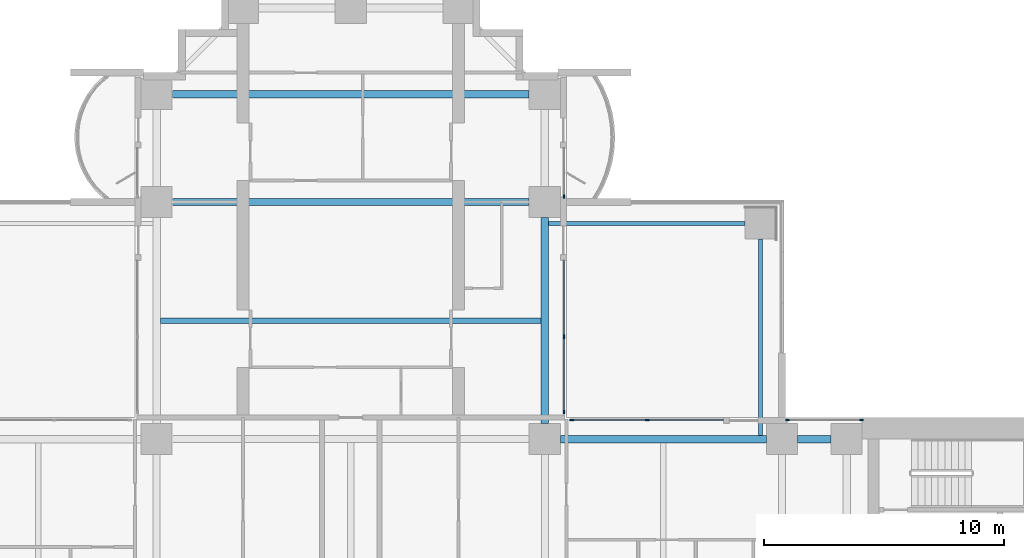
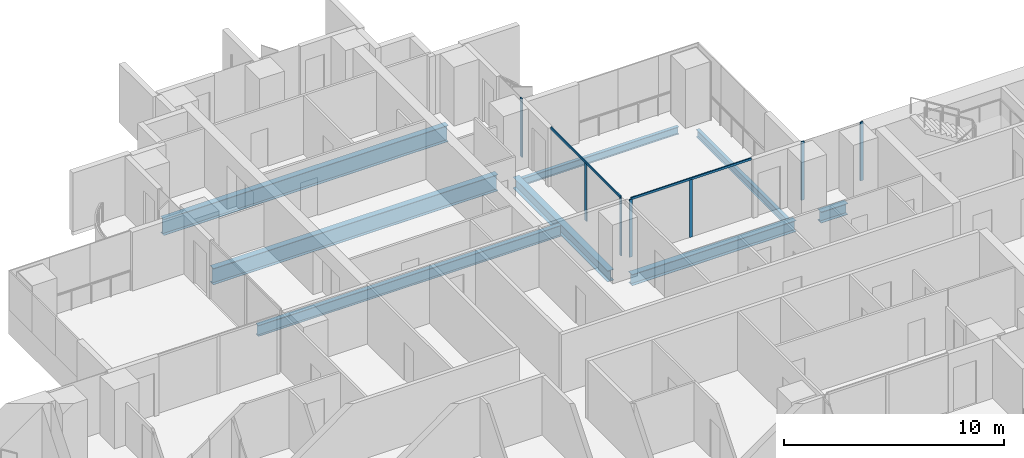
# One storey, part 6 of 20: 9 members, 8 beams, 4 elements without a shape of their own.
"""IFC4 building model written with IfcOpenShell, lengths in metres."""

from ifc_helpers import new_model, si_unit, direction, frame, origin, origin_2d, place, context, subcontext, project, spatial, rectangle, i_section, extrude, material, material_profile, profile_set, type_object, element, aggregate, save


model = new_model("IFC4")

# Units and contexts
model_context = context("Model", 3, precision=1e-05, world=origin(), true_north=direction((0.0, 1.0)))
body_context = subcontext(model_context, "Body", "Model", "MODEL_VIEW")
ifc_project = project(units=[si_unit("LENGTHUNIT", "METRE"), si_unit("AREAUNIT", "SQUARE_METRE"), si_unit("VOLUMEUNIT", "CUBIC_METRE"), si_unit("PLANEANGLEUNIT", "RADIAN"), si_unit("MASSUNIT", "GRAM", prefix="KILO")], contexts=[model_context])

# Site, building, storey
site_placement = place(None, origin())
site = spatial("IfcSite", under=ifc_project, at=site_placement, CompositionType="ELEMENT")
building_placement = place(site_placement, origin())
building = spatial("IfcBuilding", under=site, at=building_placement, Name="Perihelion Cross Residences", CompositionType="ELEMENT")
storey_placement = place(building_placement, frame((0.0, 0.0, 82.0)))
storey = spatial("IfcBuildingStorey", under=building, at=storey_placement, Name="L18", CompositionType="ELEMENT", Elevation=82.0)

# Curtain wall, members
ifc_material_1 = material(Name="Bronze anodised aluminium, tinted glazing", Category="aluminium")
curtain_wall_type = type_object("IfcCurtainWallType", Name="CW1", PredefinedType="NOTDEFINED", material=ifc_material_1)
curtain_wall_1_placement = place(storey_placement, origin())
curtain_wall_1 = element("IfcCurtainWall", 1, at=curtain_wall_1_placement, inside=storey, type_object=curtain_wall_type, Name="Curtain wall CW1 L18 east side north bay 1", PredefinedType="NOTDEFINED")
ifc_material_2 = material(Name="Bronze anodised aluminium", Category="aluminium")
ifc_material_profile_1 = material_profile(ifc_material_2, rectangle(XDim=0.06005859375, YDim=0.159912109375, at=origin_2d()), Name="CW1 mullion")
ifc_profile_set_1 = profile_set([ifc_material_profile_1], Name="Bronze anodised aluminium")
member_type_1 = type_object("IfcMemberType", Name="CW1 mullion", PredefinedType="MULLION", material=ifc_profile_set_1)
member_1_placement = place(storey_placement, frame((21.320068359375, 8.89990234375, 0.0), z_axis=(0.0, 0.0, 1.0), x_axis=(0.0, -1.0, 0.0)))
member_1 = element("IfcMember", 2, at=member_1_placement, type_object=member_type_1, Name="CW1 mullion 1", PredefinedType="MULLION", context=body_context, shape_type="SweptSolid", body=[
    extrude(rectangle(XDim=0.06005859375, YDim=0.159912109375, at=origin_2d()), origin(), (0.0, 0.0, 1.0), 3.25),
])
member_2_placement = place(storey_placement, frame((18.22998046875, 8.89990234375, 0.0), z_axis=(0.0, 0.0, 1.0), x_axis=(0.0, -1.0, 0.0)))
member_2 = element("IfcMember", 3, at=member_2_placement, type_object=member_type_1, Name="CW1 mullion 2", PredefinedType="MULLION", context=body_context, shape_type="SweptSolid", body=[
    extrude(rectangle(XDim=0.06005859375, YDim=0.159912109375, at=origin_2d()), origin(), (0.0, 0.0, 1.0), 3.25),
])
aggregate(curtain_wall_1, [member_1, member_2])

curtain_wall_2_placement = place(storey_placement, origin())
curtain_wall_2 = element("IfcCurtainWall", 4, at=curtain_wall_2_placement, inside=storey, type_object=curtain_wall_type, Name="Curtain wall CW1 L18 east side north bay 2", PredefinedType="NOTDEFINED")
member_3_placement = place(storey_placement, frame((12.375, 8.89990234375, 0.0), z_axis=(0.0, 0.0, 1.0), x_axis=(0.0, -1.0, 0.0)))
member_3 = element("IfcMember", 5, at=member_3_placement, type_object=member_type_1, Name="CW1 mullion 2", PredefinedType="MULLION", context=body_context, shape_type="SweptSolid", body=[
    extrude(rectangle(XDim=0.06005859375, YDim=0.159912109375, at=origin_2d()), origin(), (0.0, 0.0, 1.0), 3.18994140625),
])
member_4_placement = place(storey_placement, frame((9.22998046875, 8.89990234375, 0.0), z_axis=(0.0, 0.0, 1.0), x_axis=(0.0, -1.0, 0.0)))
member_4 = element("IfcMember", 6, at=member_4_placement, type_object=member_type_1, Name="CW1 mullion 3", PredefinedType="MULLION", context=body_context, shape_type="SweptSolid", body=[
    extrude(rectangle(XDim=0.06005859375, YDim=0.159912109375, at=origin_2d()), origin(), (0.0, 0.0, 1.0), 3.18994140625),
])

curtain_wall_3_placement = place(storey_placement, origin())
curtain_wall_3 = element("IfcCurtainWall", 7, at=curtain_wall_3_placement, inside=storey, type_object=curtain_wall_type, Name="Curtain wall CW1 L18 north side east bay 1", PredefinedType="NOTDEFINED")
member_5_placement = place(storey_placement, frame((8.89990234375, 9.22998046875, 0.0), z_axis=(0.0, 0.0, 1.0), x_axis=(-1.0, 0.0, 0.0)))
member_5 = element("IfcMember", 8, at=member_5_placement, type_object=member_type_1, Name="CW1 mullion 1", PredefinedType="MULLION", context=body_context, shape_type="SweptSolid", body=[
    extrude(rectangle(XDim=0.06005859375, YDim=0.159912109375, at=origin_2d()), origin(), (0.0, 0.0, 1.0), 3.18994140625),
])
member_6_placement = place(storey_placement, frame((8.89990234375, 12.375, 0.0), z_axis=(0.0, 0.0, 1.0), x_axis=(-1.0, 0.0, 0.0)))
member_6 = element("IfcMember", 9, at=member_6_placement, type_object=member_type_1, Name="CW1 mullion 2", PredefinedType="MULLION", context=body_context, shape_type="SweptSolid", body=[
    extrude(rectangle(XDim=0.06005859375, YDim=0.159912109375, at=origin_2d()), origin(), (0.0, 0.0, 1.0), 3.18994140625),
])

# Curtain wall, member
curtain_wall_4_placement = place(storey_placement, origin())
curtain_wall_4 = element("IfcCurtainWall", 10, at=curtain_wall_4_placement, inside=storey, type_object=curtain_wall_type, Name="Curtain wall CW1 L18 north side east bay 2", PredefinedType="NOTDEFINED")
member_7_placement = place(storey_placement, frame((8.89990234375, 18.22998046875, 0.0), z_axis=(0.0, 0.0, 1.0), x_axis=(-1.0, 0.0, 0.0)))
member_7 = element("IfcMember", 11, at=member_7_placement, type_object=member_type_1, Name="CW1 mullion 1", PredefinedType="MULLION", context=body_context, shape_type="SweptSolid", body=[
    extrude(rectangle(XDim=0.06005859375, YDim=0.159912109375, at=origin_2d()), origin(), (0.0, 0.0, 1.0), 3.25),
])
aggregate(curtain_wall_4, [member_7])

# Member
ifc_material_3 = material(Name="Bronze anodised aluminium", Category="aluminium")
ifc_material_profile_2 = material_profile(ifc_material_3, rectangle(XDim=0.06005859375, YDim=0.1201171875, at=origin_2d()), Name="CW1 transom")
ifc_profile_set_2 = profile_set([ifc_material_profile_2], Name="Bronze anodised aluminium")
member_type_2 = type_object("IfcMemberType", Name="CW1 transom", PredefinedType="USERDEFINED", material=ifc_profile_set_2)
member_8_placement = place(storey_placement, frame((15.550048828125, 8.89990234375, 3.219970703125), z_axis=(-1.0, 0.0, 0.0), x_axis=(0.0, -1.0, 0.0)))
member_8 = element("IfcMember", 12, at=member_8_placement, type_object=member_type_2, Name="CW1 head transom", ObjectType="TRANSOM", PredefinedType="USERDEFINED", context=body_context, shape_type="SweptSolid", body=[
    extrude(rectangle(XDim=0.06005859375, YDim=0.1201171875, at=origin_2d()), origin(), (0.0, 0.0, 1.0), 6.320068359375),
])

aggregate(curtain_wall_2, [member_3, member_4, member_8])

member_9_placement = place(storey_placement, frame((8.89990234375, 9.22998046875, 3.219970703125), z_axis=(0.0, 1.0, 0.0), x_axis=(-1.0, 0.0, 0.0)))
member_9 = element("IfcMember", 13, at=member_9_placement, type_object=member_type_2, Name="CW1 head transom", ObjectType="TRANSOM", PredefinedType="USERDEFINED", context=body_context, shape_type="SweptSolid", body=[
    extrude(rectangle(XDim=0.06005859375, YDim=0.1201171875, at=origin_2d()), origin(), (0.0, 0.0, 1.0), 6.320068359375),
])

aggregate(curtain_wall_3, [member_5, member_6, member_9])

# Beams
ifc_material_4 = material(Name="Steel S355", Category="steel")
ifc_material_profile_3 = material_profile(ifc_material_4, i_section(OverallWidth=0.177978515625, OverallDepth=0.406005859375, WebThickness=0.0078125, FlangeThickness=0.0126953125, at=origin_2d()), Name="W410x60")
ifc_profile_set_3 = profile_set([ifc_material_profile_3], Name="Steel S355")
beam_type_1 = type_object("IfcBeamType", Name="Core edge beam W410x60", PredefinedType="BEAM", material=ifc_profile_set_3)
for number, where, z_axis, x_axis, name in (
    (14, (17.10009765625, 8.262451171875, -0.452880859375), (0.0, 1.0, 0.0), (-1.0, 0.0, 0.0), "Core edge beam TB2 L18 corner no. 7"),
    (15, (8.262451171875, 17.10009765625, -0.452880859375), (1.0, 0.0, 0.0), (0.0, 1.0, 0.0), "Core edge beam TB2 L18 corner no. 8"),
):
    element("IfcBeam", number, at=place(storey_placement, frame(where, z_axis=z_axis, x_axis=x_axis)), inside=storey, type_object=beam_type_1, Name=name, PredefinedType="BEAM", context=body_context, shape_type="SweptSolid", body=[
        extrude(i_section(OverallWidth=0.177978515625, OverallDepth=0.406005859375, WebThickness=0.0078125, FlangeThickness=0.0126953125, at=origin_2d()), origin(), (0.0, 0.0, 1.0), 8.1875),
    ])
ifc_material_5 = material(Name="Steel S355", Category="steel")
ifc_material_profile_4 = material_profile(ifc_material_5, i_section(OverallWidth=0.324951171875, OverallDepth=0.616943359375, WebThickness=0.013916015625, FlangeThickness=0.021484375, at=origin_2d()), Name="W610x174")
ifc_profile_set_4 = profile_set([ifc_material_profile_4], Name="Steel S355")
beam_type_2 = type_object("IfcBeamType", Name="Edge beam W610x174", PredefinedType="SPANDREL", material=ifc_profile_set_4)
beam_1_placement = place(storey_placement, frame((20.050048828125, 8.10009765625, -0.55859375), z_axis=(-1.0, 0.0, 0.0), x_axis=(0.0, -1.0, 0.0)))
element("IfcBeam", 16, at=beam_1_placement, inside=storey, type_object=beam_type_2, Name="Edge beam SB2 L18 no. 14", PredefinedType="SPANDREL", context=body_context, shape_type="SweptSolid", body=[
    extrude(i_section(OverallWidth=0.324951171875, OverallDepth=0.616943359375, WebThickness=0.013916015625, FlangeThickness=0.021484375, at=origin_2d()), origin(), (0.0, 0.0, 1.0), 1.400146484375),
])
for number, where, z_axis, x_axis, name in (
    (17, (17.35009765625, 8.10009765625, -0.55859375), (-1.0, 0.0, 0.0), (0.0, -1.0, 0.0), "Edge beam SB2 L18 no. 13"),
    (18, (8.10009765625, 8.75, -0.55859375), (0.0, 1.0, 0.0), (-1.0, 0.0, 0.0), "Edge beam SB2 L18 no. 20"),
):
    element("IfcBeam", number, at=place(storey_placement, frame(where, z_axis=z_axis, x_axis=x_axis)), inside=storey, type_object=beam_type_2, Name=name, PredefinedType="SPANDREL", context=body_context, shape_type="SweptSolid", body=[
        extrude(i_section(OverallWidth=0.324951171875, OverallDepth=0.616943359375, WebThickness=0.013916015625, FlangeThickness=0.021484375, at=origin_2d()), origin(), (0.0, 0.0, 1.0), 8.60009765625),
    ])
ifc_material_6 = material(Name="Steel S355", Category="steel")
ifc_material_profile_5 = material_profile(ifc_material_6, i_section(OverallWidth=0.304931640625, OverallDepth=0.904052734375, WebThickness=0.01513671875, FlangeThickness=0.02001953125, at=origin_2d()), Name="W920x201")
ifc_profile_set_5 = profile_set([ifc_material_profile_5], Name="Steel S355")
beam_type_3 = type_object("IfcBeamType", Name="Floor girder W920x201", PredefinedType="BEAM", material=ifc_profile_set_5)
for number, where, z_axis, x_axis, name in (
    (19, (-7.449951171875, 18.0, -0.701904296875), (1.0, 0.0, 0.0), (0.0, 1.0, 0.0), "Girder G2 L18 no. 5"),
    (20, (-7.449951171875, 22.5, -0.701904296875), (1.0, 0.0, 0.0), (0.0, 1.0, 0.0), "Girder G2 L18 no. 6"),
):
    element("IfcBeam", number, at=place(storey_placement, frame(where, z_axis=z_axis, x_axis=x_axis)), inside=storey, type_object=beam_type_3, Name=name, PredefinedType="BEAM", context=body_context, shape_type="SweptSolid", body=[
        extrude(i_section(OverallWidth=0.304931640625, OverallDepth=0.904052734375, WebThickness=0.01513671875, FlangeThickness=0.02001953125, at=origin_2d()), origin(), (0.0, 0.0, 1.0), 14.89990234375),
    ])
ifc_material_7 = material(Name="Steel S355", Category="steel")
ifc_material_profile_6 = material_profile(ifc_material_7, i_section(OverallWidth=0.22900390625, OverallDepth=0.612060546875, WebThickness=0.011962890625, FlangeThickness=0.01953125, at=origin_2d()), Name="W610x125")
ifc_profile_set_6 = profile_set([ifc_material_profile_6], Name="Steel S355")
beam_type_4 = type_object("IfcBeamType", Name="Floor joist W610x125", PredefinedType="JOIST", material=ifc_profile_set_6)
beam_2_placement = place(storey_placement, frame((-7.9375, 13.050048828125, -0.555908203125), z_axis=(1.0, 0.0, 0.0), x_axis=(0.0, 1.0, 0.0)))
element("IfcBeam", 21, at=beam_2_placement, inside=storey, type_object=beam_type_4, Name="Joist J3 L18 no. 4", PredefinedType="JOIST", context=body_context, shape_type="SweptSolid", body=[
    extrude(i_section(OverallWidth=0.22900390625, OverallDepth=0.612060546875, WebThickness=0.011962890625, FlangeThickness=0.01953125, at=origin_2d()), origin(), (0.0, 0.0, 1.0), 15.875),
])

save(model, "model.ifc")
